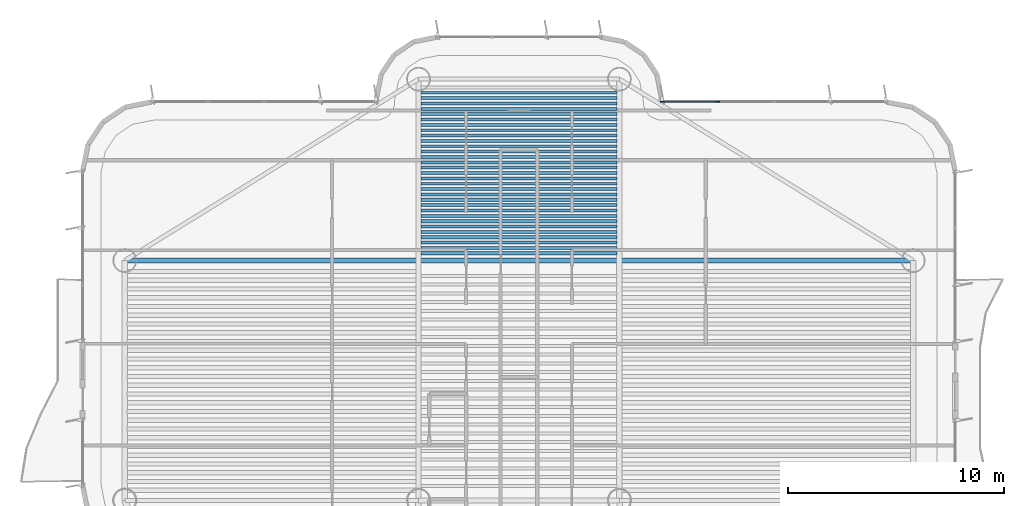
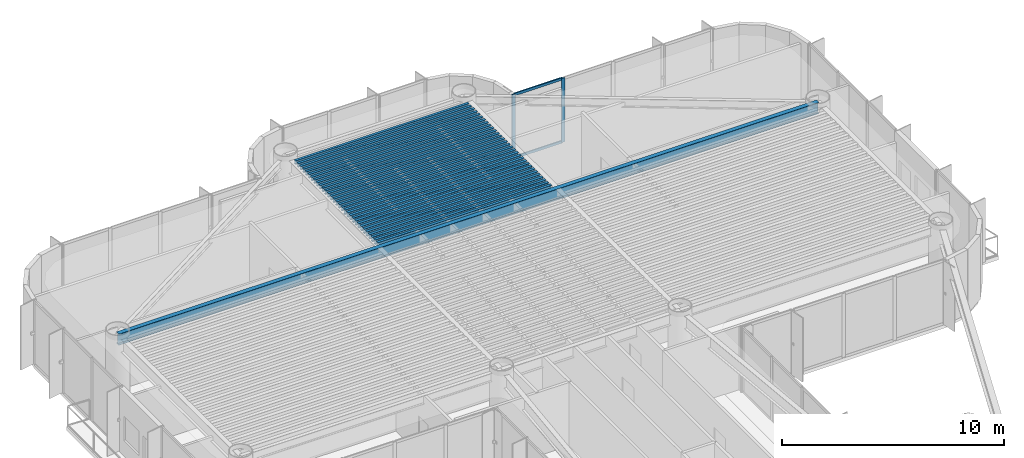
# One storey, part 6 of 14: 32 beams, 4 members, 1 element without a shape of its own.
"""IFC4 building model written with IfcOpenShell, lengths in metres."""

from ifc_helpers import new_model, si_unit, direction, frame, origin, origin_2d, place, context, subcontext, project, spatial, rectangle, i_section, extrude, source, transform, mapped, material, layer, layer_set, material_profile, profile_set, type_object, element, aggregate, save


model = new_model("IFC4")

# Units and contexts
model_context = context("Model", 3, precision=1e-05, world=origin(), true_north=direction((0.0, 1.0)))
body_context = subcontext(model_context, "Body", "Model", "MODEL_VIEW")
ifc_project = project(units=[si_unit("LENGTHUNIT", "METRE"), si_unit("AREAUNIT", "SQUARE_METRE"), si_unit("VOLUMEUNIT", "CUBIC_METRE"), si_unit("PLANEANGLEUNIT", "RADIAN"), si_unit("MASSUNIT", "GRAM", prefix="KILO")], contexts=[model_context])

# Site, building, storey
site_placement = place(None, origin())
site = spatial("IfcSite", under=ifc_project, at=site_placement, CompositionType="ELEMENT")
building_placement = place(site_placement, origin())
building = spatial("IfcBuilding", under=site, at=building_placement, Name="Brelvock Crest Care Tower", CompositionType="ELEMENT")
storey_placement = place(building_placement, frame((0.0, 0.0, 201.780029296875)))
storey = spatial("IfcBuildingStorey", under=building, at=storey_placement, Name="L51", CompositionType="ELEMENT", Elevation=201.780029296875)

# Beams
ifc_material_1 = material(Name="Steel Grade 350", Category="steel")
ifc_material_profile_1 = material_profile(ifc_material_1, i_section(OverallWidth=0.14599609375, OverallDepth=0.256103515625, WebThickness=0.00634765625, FlangeThickness=0.010986328125, FilletRadius=0.0087890625, at=origin_2d()), Name="250UB37.3")
ifc_profile_set_1 = profile_set([ifc_material_profile_1], Name="Steel Grade 350")
beam_type_1 = type_object("IfcBeamType", Name="BM-J3", PredefinedType="JOIST", material=ifc_profile_set_1)
shared_shape_1 = source(origin(), body_context, "Body", "SweptSolid", [
    extrude(i_section(OverallWidth=0.14599609375, OverallDepth=0.256103515625, WebThickness=0.00634765625, FlangeThickness=0.010986328125, FilletRadius=0.0087890625, at=origin_2d()), origin(), (0.0, 0.0, 1.0), 9.06982421875),
])
for number, where, z_axis, x_axis, name in (
    (1, (31.465087890625, 46.385986328125, 3.40185546875), (1.0, 0.0, 0.0), (0.0, 1.0, 0.0), "BM-JN-L51-1"),
    (2, (31.465087890625, 46.6337890625, 3.40185546875), (1.0, 0.0, 0.0), (0.0, 1.0, 0.0), "BM-JN-L51-2"),
    (3, (31.465087890625, 46.881591796875, 3.40185546875), (1.0, 0.0, 0.0), (0.0, 1.0, 0.0), "BM-JN-L51-3"),
    (4, (31.465087890625, 47.12939453125, 3.40185546875), (1.0, 0.0, 0.0), (0.0, 1.0, 0.0), "BM-JN-L51-4"),
    (5, (31.465087890625, 47.377197265625, 3.40185546875), (1.0, 0.0, 0.0), (0.0, 1.0, 0.0), "BM-JN-L51-5"),
    (6, (31.465087890625, 47.625, 3.40185546875), (1.0, 0.0, 0.0), (0.0, 1.0, 0.0), "BM-JN-L51-6"),
    (7, (31.465087890625, 47.872802734375, 3.40185546875), (1.0, 0.0, 0.0), (0.0, 1.0, 0.0), "BM-JN-L51-7"),
    (8, (31.465087890625, 48.12060546875, 3.40185546875), (1.0, 0.0, 0.0), (0.0, 1.0, 0.0), "BM-JN-L51-8"),
    (9, (31.465087890625, 48.368408203125, 3.40185546875), (1.0, 0.0, 0.0), (0.0, 1.0, 0.0), "BM-JN-L51-9"),
    (10, (31.465087890625, 48.6162109375, 3.40185546875), (1.0, 0.0, 0.0), (0.0, 1.0, 0.0), "BM-JN-L51-10"),
    (11, (31.465087890625, 48.864013671875, 3.40185546875), (1.0, 0.0, 0.0), (0.0, 1.0, 0.0), "BM-JN-L51-11"),
    (12, (31.465087890625, 49.11181640625, 3.40185546875), (1.0, 0.0, 0.0), (0.0, 1.0, 0.0), "BM-JN-L51-12"),
    (13, (31.465087890625, 49.359619140625, 3.40185546875), (1.0, 0.0, 0.0), (0.0, 1.0, 0.0), "BM-JN-L51-13"),
):
    element("IfcBeam", number, at=place(storey_placement, frame(where, z_axis=z_axis, x_axis=x_axis)), inside=storey, type_object=beam_type_1, Name=name, PredefinedType="JOIST", context=body_context, shape_type="MappedRepresentation", body=[
        mapped(shared_shape_1, transform((0.0, 0.0, 0.0), x_axis=(1.0, 0.0, 0.0), y_axis=(0.0, 1.0, 0.0), z_axis=(0.0, 0.0, 1.0), scale=1.0)),
    ])
ifc_material_profile_2 = material_profile(ifc_material_1, i_section(OverallWidth=0.134033203125, OverallDepth=0.20703125, WebThickness=0.00634765625, FlangeThickness=0.009521484375, FilletRadius=0.0087890625, at=origin_2d()), Name="200UB29.8")
ifc_profile_set_2 = profile_set([ifc_material_profile_2], Name="Steel Grade 350")
beam_type_2 = type_object("IfcBeamType", Name="BM-J4", PredefinedType="JOIST", material=ifc_profile_set_2)
shared_shape_2 = source(origin(), body_context, "Body", "SweptSolid", [
    extrude(i_section(OverallWidth=0.134033203125, OverallDepth=0.20703125, WebThickness=0.00634765625, FlangeThickness=0.009521484375, FilletRadius=0.0087890625, at=origin_2d()), origin(), (0.0, 0.0, 1.0), 9.06982421875),
])
for number, where, z_axis, x_axis, name in (
    (14, (31.465087890625, 49.607421875, 3.426513671875), (1.0, 0.0, 0.0), (0.0, 1.0, 0.0), "BM-JN-L51-14"),
    (15, (31.465087890625, 49.855224609375, 3.426513671875), (1.0, 0.0, 0.0), (0.0, 1.0, 0.0), "BM-JN-L51-15"),
    (16, (31.465087890625, 50.10302734375, 3.426513671875), (1.0, 0.0, 0.0), (0.0, 1.0, 0.0), "BM-JN-L51-16"),
    (17, (31.465087890625, 50.350830078125, 3.426513671875), (1.0, 0.0, 0.0), (0.0, 1.0, 0.0), "BM-JN-L51-17"),
    (18, (31.465087890625, 50.5986328125, 3.426513671875), (1.0, 0.0, 0.0), (0.0, 1.0, 0.0), "BM-JN-L51-18"),
    (19, (31.465087890625, 50.846435546875, 3.426513671875), (1.0, 0.0, 0.0), (0.0, 1.0, 0.0), "BM-JN-L51-19"),
    (20, (31.465087890625, 51.09423828125, 3.426513671875), (1.0, 0.0, 0.0), (0.0, 1.0, 0.0), "BM-JN-L51-20"),
    (21, (31.465087890625, 51.342041015625, 3.426513671875), (1.0, 0.0, 0.0), (0.0, 1.0, 0.0), "BM-JN-L51-21"),
    (22, (31.465087890625, 51.58984375, 3.426513671875), (1.0, 0.0, 0.0), (0.0, 1.0, 0.0), "BM-JN-L51-22"),
    (23, (31.465087890625, 51.837646484375, 3.426513671875), (1.0, 0.0, 0.0), (0.0, 1.0, 0.0), "BM-JN-L51-23"),
    (24, (31.465087890625, 52.08544921875, 3.426513671875), (1.0, 0.0, 0.0), (0.0, 1.0, 0.0), "BM-JN-L51-24"),
    (25, (31.465087890625, 52.333251953125, 3.426513671875), (1.0, 0.0, 0.0), (0.0, 1.0, 0.0), "BM-JN-L51-25"),
    (26, (31.465087890625, 52.5810546875, 3.426513671875), (1.0, 0.0, 0.0), (0.0, 1.0, 0.0), "BM-JN-L51-26"),
    (27, (31.465087890625, 52.828857421875, 3.426513671875), (1.0, 0.0, 0.0), (0.0, 1.0, 0.0), "BM-JN-L51-27"),
    (28, (31.465087890625, 53.07666015625, 3.426513671875), (1.0, 0.0, 0.0), (0.0, 1.0, 0.0), "BM-JN-L51-28"),
    (29, (31.465087890625, 53.324462890625, 3.426513671875), (1.0, 0.0, 0.0), (0.0, 1.0, 0.0), "BM-JN-L51-29"),
    (30, (31.465087890625, 53.572265625, 3.426513671875), (1.0, 0.0, 0.0), (0.0, 1.0, 0.0), "BM-JN-L51-30"),
    (31, (31.465087890625, 53.820068359375, 3.426513671875), (1.0, 0.0, 0.0), (0.0, 1.0, 0.0), "BM-JN-L51-31"),
):
    element("IfcBeam", number, at=place(storey_placement, frame(where, z_axis=z_axis, x_axis=x_axis)), inside=storey, type_object=beam_type_2, Name=name, PredefinedType="JOIST", context=body_context, shape_type="MappedRepresentation", body=[
        mapped(shared_shape_2, transform((0.0, 0.0, 0.0), x_axis=(1.0, 0.0, 0.0), y_axis=(0.0, 1.0, 0.0), z_axis=(0.0, 0.0, 1.0), scale=1.0)),
    ])
ifc_material_profile_3 = material_profile(ifc_material_1, i_section(OverallWidth=0.22900390625, OverallDepth=0.612060546875, WebThickness=0.011962890625, FlangeThickness=0.01953125, FilletRadius=0.013916015625, at=origin_2d()), Name="610UB125")
ifc_profile_set_3 = profile_set([ifc_material_profile_3], Name="Steel Grade 350")
beam_type_3 = type_object("IfcBeamType", Name="BM-G1", PredefinedType="BEAM", material=ifc_profile_set_3)
shared_shape_3 = source(origin(), body_context, "Body", "SweptSolid", [
    extrude(i_section(OverallWidth=0.22900390625, OverallDepth=0.612060546875, WebThickness=0.011962890625, FlangeThickness=0.01953125, FilletRadius=0.013916015625, at=origin_2d()), origin(), (0.0, 0.0, 1.0), 36.5),
])
beam_placement = place(storey_placement, frame((17.75, 46.050048828125, 3.223876953125), z_axis=(1.0, 0.0, 0.0), x_axis=(0.0, 1.0, 0.0)))
element("IfcBeam", 32, at=beam_placement, inside=storey, type_object=beam_type_3, Name="BM-TWR-L51-11", PredefinedType="BEAM", context=body_context, shape_type="MappedRepresentation", body=[
    mapped(shared_shape_3, transform((0.0, 0.0, 0.0), x_axis=(1.0, 0.0, 0.0), y_axis=(0.0, 1.0, 0.0), z_axis=(0.0, 0.0, 1.0), scale=1.0)),
])

# Curtain wall, members
ifc_material_2 = material(Name="Dark Glass Double Glazed Low-E", Category="glass")
ifc_layer = layer(ifc_material_2, 0.22509765625, Name="CWS-4")
ifc_layer_set = layer_set([ifc_layer], Name="Dark Glass Double Glazed Low-E")
curtain_wall_type = type_object("IfcCurtainWallType", Name="CWS-4", PredefinedType="NOTDEFINED", material=ifc_layer_set)
curtain_wall_placement = place(storey_placement, origin())
curtain_wall = element("IfcCurtainWall", 33, at=curtain_wall_placement, inside=storey, type_object=curtain_wall_type, Name="L51 Curtain Wall E34", PredefinedType="NOTDEFINED")
ifc_material_3 = material(Name="Aluminium 6063-T6", Category="aluminium")
ifc_material_profile_4 = material_profile(ifc_material_3, rectangle(XDim=0.06005859375, YDim=0.179931640625, at=origin_2d()), Name="ALU60x180")
ifc_profile_set_4 = profile_set([ifc_material_profile_4], Name="Aluminium 6063-T6")
member_type_1 = type_object("IfcMemberType", Name="CWM-2", PredefinedType="MULLION", material=ifc_profile_set_4)
shared_shape_4 = source(origin(), body_context, "Body", "SweptSolid", [
    extrude(rectangle(XDim=0.06005859375, YDim=0.179931640625, at=origin_2d()), origin(), (0.0, 0.0, 1.0), 3.530029296875),
])
member_1_placement = place(storey_placement, frame((42.6298828125, 53.39990234375, 0.0), z_axis=(0.0, 0.0, 1.0), x_axis=(0.0, 1.0, 0.0)))
member_1 = element("IfcMember", 34, at=member_1_placement, type_object=member_type_1, Name="CW-4 mullion 1", PredefinedType="MULLION", context=body_context, shape_type="MappedRepresentation", body=[
    mapped(shared_shape_4, transform((0.0, 0.0, 0.0), x_axis=(1.0, 0.0, 0.0), y_axis=(0.0, 1.0, 0.0), z_axis=(0.0, 0.0, 1.0), scale=1.0)),
])
member_2_placement = place(storey_placement, frame((45.199951171875, 53.39990234375, 0.0), z_axis=(0.0, 0.0, 1.0), x_axis=(0.0, 1.0, 0.0)))
member_2 = element("IfcMember", 35, at=member_2_placement, type_object=member_type_1, Name="CW-4 mullion 2", PredefinedType="MULLION", context=body_context, shape_type="MappedRepresentation", body=[
    mapped(shared_shape_4, transform((0.0, 0.0, 0.0), x_axis=(1.0, 0.0, 0.0), y_axis=(0.0, 1.0, 0.0), z_axis=(0.0, 0.0, 1.0), scale=1.0)),
])
ifc_material_profile_5 = material_profile(ifc_material_3, rectangle(XDim=0.06005859375, YDim=0.139892578125, at=origin_2d()), Name="ALU60x140")
ifc_profile_set_5 = profile_set([ifc_material_profile_5], Name="Aluminium 6063-T6")
member_type_2 = type_object("IfcMemberType", Name="CWT-2", PredefinedType="USERDEFINED", material=ifc_profile_set_5)
shared_shape_5 = source(origin(), body_context, "Body", "SweptSolid", [
    extrude(rectangle(XDim=0.06005859375, YDim=0.139892578125, at=origin_2d()), origin(), (0.0, 0.0, 1.0), 2.510009765625),
])
member_3_placement = place(storey_placement, frame((42.659912109375, 53.39990234375, 0.030029296875), z_axis=(1.0, 0.0, 0.0), x_axis=(0.0, 1.0, 0.0)))
member_3 = element("IfcMember", 36, at=member_3_placement, type_object=member_type_2, Name="CW-4 transom 1.1", ObjectType="TRANSOM", PredefinedType="USERDEFINED", context=body_context, shape_type="MappedRepresentation", body=[
    mapped(shared_shape_5, transform((0.0, 0.0, 0.0), x_axis=(1.0, 0.0, 0.0), y_axis=(0.0, 1.0, 0.0), z_axis=(0.0, 0.0, 1.0), scale=1.0)),
])
member_4_placement = place(storey_placement, frame((42.659912109375, 53.39990234375, 3.5), z_axis=(1.0, 0.0, 0.0), x_axis=(0.0, 1.0, 0.0)))
member_4 = element("IfcMember", 37, at=member_4_placement, type_object=member_type_2, Name="CW-4 transom 1.2", ObjectType="TRANSOM", PredefinedType="USERDEFINED", context=body_context, shape_type="MappedRepresentation", body=[
    mapped(shared_shape_5, transform((0.0, 0.0, 0.0), x_axis=(1.0, 0.0, 0.0), y_axis=(0.0, 1.0, 0.0), z_axis=(0.0, 0.0, 1.0), scale=1.0)),
])
aggregate(curtain_wall, [member_1, member_2, member_3, member_4])

save(model, "model.ifc")
